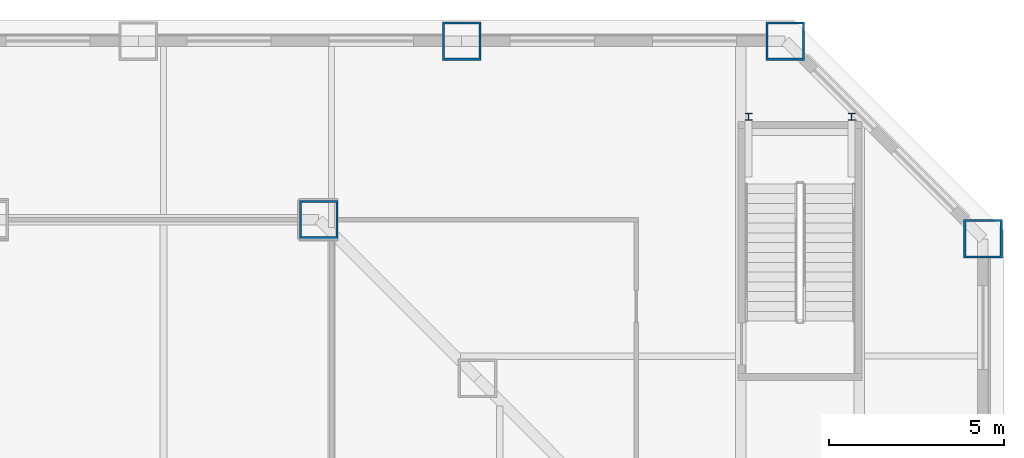
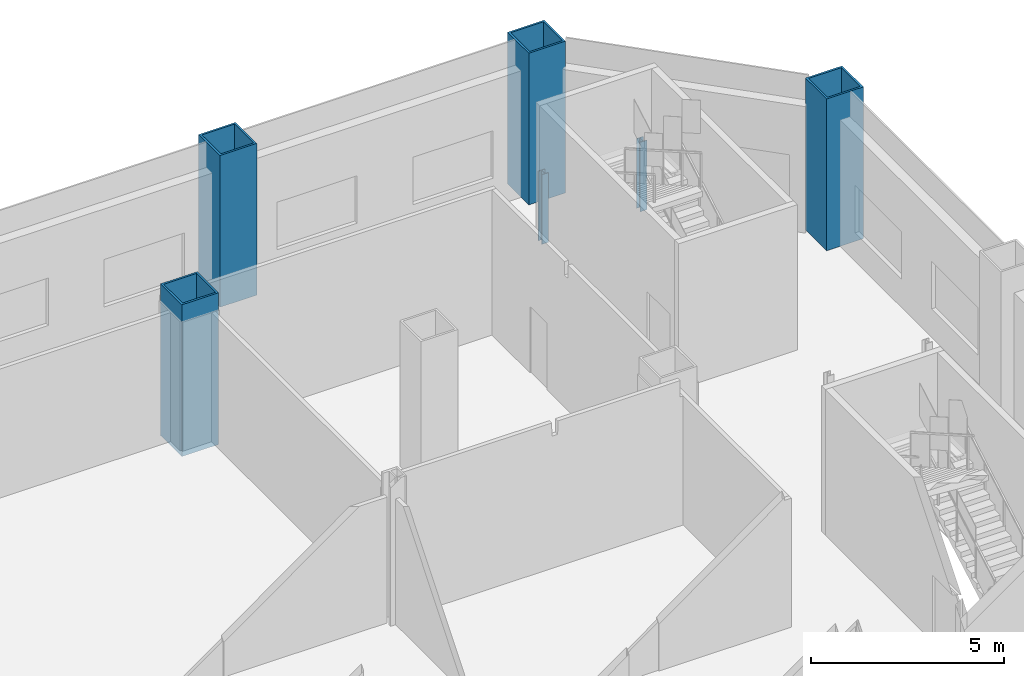
# One storey, part 7 of 25: 6 columns.
"""IFC4 building model written with IfcOpenShell, lengths in metres."""

from ifc_helpers import new_model, si_unit, direction, frame, origin, origin_2d, place, context, subcontext, project, spatial, hollow_rectangle, i_section, extrude, material, material_profile, profile_set, type_object, element, save


model = new_model("IFC4")

# Units and contexts
model_context = context("Model", 3, precision=1e-05, world=origin(), true_north=direction((0.0, 1.0)))
body_context = subcontext(model_context, "Body", "Model", "MODEL_VIEW")
ifc_project = project(units=[si_unit("LENGTHUNIT", "METRE"), si_unit("AREAUNIT", "SQUARE_METRE"), si_unit("VOLUMEUNIT", "CUBIC_METRE"), si_unit("PLANEANGLEUNIT", "RADIAN"), si_unit("MASSUNIT", "GRAM", prefix="KILO")], contexts=[model_context])

# Site, building, storey
site_placement = place(None, origin())
site = spatial("IfcSite", under=ifc_project, at=site_placement, CompositionType="ELEMENT")
building_placement = place(site_placement, origin())
building = spatial("IfcBuilding", under=site, at=building_placement, Name="Cairn Pilgrim Tower", CompositionType="ELEMENT")
storey_placement = place(building_placement, frame((0.0, 0.0, 30.60009765625)))
storey = spatial("IfcBuildingStorey", under=building, at=storey_placement, Name="L05", CompositionType="ELEMENT", Elevation=30.60009765625)

# Columns
ifc_material_1 = material(Name="Structural steel S460M", Category="steel")
ifc_material_profile_1 = material_profile(ifc_material_1, hollow_rectangle(XDim=1.10009765625, YDim=1.10009765625, WallThickness=0.06005859375, at=origin_2d()), Name="BOX 1100x1100x60")
ifc_profile_set_1 = profile_set([ifc_material_profile_1], Name="Structural steel S460M")
column_type_1 = type_object("IfcColumnType", Name="BOX 1100x1100x60", PredefinedType="COLUMN", material=ifc_profile_set_1)
column_placement = place(storey_placement, frame((18.8271484375, 23.10009765625, -0.2001953125), z_axis=(0.0, 0.0, 1.0), x_axis=(1.0, 0.0, 0.0)))
element("IfcColumn", 1, at=column_placement, inside=storey, type_object=column_type_1, Name="PC1-N1", PredefinedType="COLUMN", context=body_context, shape_type="SweptSolid", body=[
    extrude(hollow_rectangle(XDim=1.10009765625, YDim=1.10009765625, WallThickness=0.06005859375, at=origin_2d()), origin(), (0.0, 0.0, 1.0), 4.800048828125),
])
ifc_material_profile_2 = material_profile(ifc_material_1, hollow_rectangle(XDim=1.10009765625, YDim=1.10009765625, WallThickness=0.06005859375, at=origin_2d()), Name="BOX 1100x1100x60")
ifc_profile_set_2 = profile_set([ifc_material_profile_2], Name="Structural steel S460M")
column_type_2 = type_object("IfcColumnType", Name="PILOTIS CFT 1100", PredefinedType="COLUMN", material=ifc_profile_set_2)
for number, where, z_axis, x_axis, name in (
    (2, (37.800048828125, 22.551513671875, 0.0), (0.0, 0.0, 1.0), (1.0, 0.0, 0.0), "PILOTIS PL-NE1"),
    (3, (32.151611328125, 28.199951171875, 0.0), (0.0, 0.0, 1.0), (1.0, 0.0, 0.0), "PILOTIS PL-N1"),
    (4, (22.91357421875, 28.199951171875, 0.0), (0.0, 0.0, 1.0), (1.0, 0.0, 0.0), "PILOTIS PL-N2"),
):
    element("IfcColumn", number, at=place(storey_placement, frame(where, z_axis=z_axis, x_axis=x_axis)), inside=storey, type_object=column_type_2, Name=name, PredefinedType="COLUMN", context=body_context, shape_type="SweptSolid", body=[
        extrude(hollow_rectangle(XDim=1.10009765625, YDim=1.10009765625, WallThickness=0.06005859375, at=origin_2d()), origin(), (0.0, 0.0, 1.0), 4.7998046875),
    ])
ifc_material_2 = material(Name="Structural steel S355J2", Category="steel")
ifc_material_profile_3 = material_profile(ifc_material_2, i_section(OverallWidth=0.199951171875, OverallDepth=0.199951171875, WebThickness=0.009033203125, FlangeThickness=0.014892578125, FilletRadius=0.01806640625, at=origin_2d()), Name="HE 200 B")
ifc_profile_set_3 = profile_set([ifc_material_profile_3], Name="Structural steel S355J2")
column_type_3 = type_object("IfcColumnType", Name="STAIR POST HE 200 B", PredefinedType="COLUMN", material=ifc_profile_set_3)
for number, where, z_axis, x_axis, name in (
    (5, (31.10498046875, 26.0400390625, 0.0), (0.0, 0.0, 1.0), (1.0, 0.0, 0.0), "STAIR POST LP-ES4-NA"),
    (6, (34.044921875, 26.0400390625, 0.0), (0.0, 0.0, 1.0), (1.0, 0.0, 0.0), "STAIR POST LP-ES4-NB"),
):
    element("IfcColumn", number, at=place(storey_placement, frame(where, z_axis=z_axis, x_axis=x_axis)), inside=storey, type_object=column_type_3, Name=name, PredefinedType="COLUMN", context=body_context, shape_type="SweptSolid", body=[
        extrude(i_section(OverallWidth=0.199951171875, OverallDepth=0.199951171875, WebThickness=0.009033203125, FlangeThickness=0.014892578125, FilletRadius=0.01806640625, at=origin_2d()), origin(), (0.0, 0.0, 1.0), 2.199951171875),
    ])

save(model, "model.ifc")
